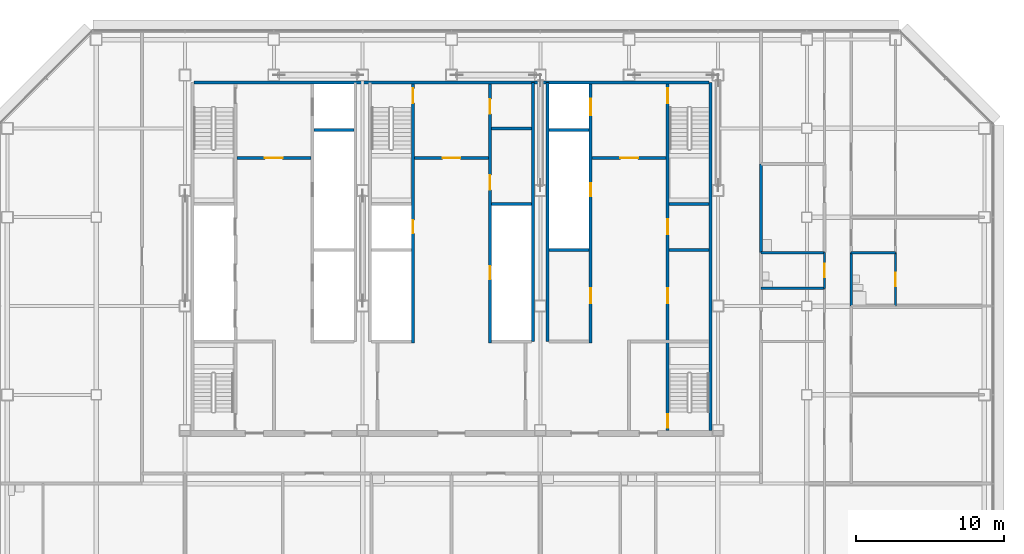
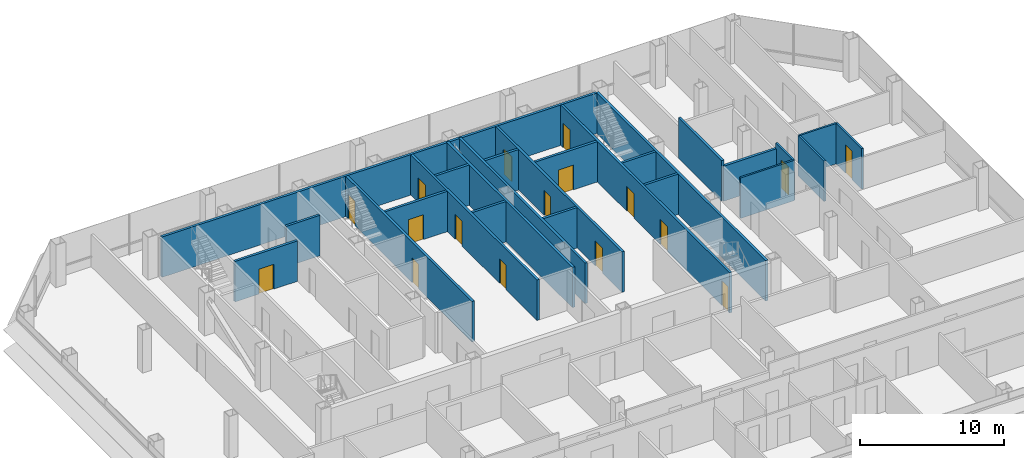
# One storey, part 22 of 25: 25 walls, 17 doors, 17 openings.
"""IFC4 building model written with IfcOpenShell, lengths in metres."""

from ifc_helpers import new_model, si_unit, direction, frame, frame_2d, origin, place, context, subcontext, project, spatial, rectangle, extrude, material, layer, layer_set, type_object, element, fill, save


model = new_model("IFC4")

# Units and contexts
model_context = context("Model", 3, precision=1e-05, world=origin(), true_north=direction((0.0, 1.0)))
body_context = subcontext(model_context, "Body", "Model", "MODEL_VIEW")
ifc_project = project(units=[si_unit("LENGTHUNIT", "METRE"), si_unit("AREAUNIT", "SQUARE_METRE"), si_unit("VOLUMEUNIT", "CUBIC_METRE"), si_unit("PLANEANGLEUNIT", "RADIAN"), si_unit("MASSUNIT", "GRAM", prefix="KILO")], contexts=[model_context])

# Site, building, storey
site_placement = place(None, origin())
site = spatial("IfcSite", under=ifc_project, at=site_placement, CompositionType="ELEMENT")
building_placement = place(site_placement, origin())
building = spatial("IfcBuilding", under=site, at=building_placement, Name="Sorahane Residences", CompositionType="ELEMENT")
storey_placement = place(building_placement, frame((0.0, 0.0, 126.800048828125)))
storey = spatial("IfcBuildingStorey", under=building, at=storey_placement, Name="L28", CompositionType="ELEMENT", Elevation=126.800048828125)

# Walls
ifc_material_1 = material(Name="Concrete C30", Category="concrete")
ifc_layer_1 = layer(ifc_material_1, 0.199951171875)
ifc_layer_set_1 = layer_set([ifc_layer_1], Name="Core face wall 200 EI 180")
wall_type_1 = type_object("IfcWallType", Name="Core face wall 200 EI 180", PredefinedType="SOLIDWALL", material=ifc_layer_set_1)
wall_1_placement = place(storey_placement, frame((41.5, 21.60009765625, 0.0), z_axis=(0.0, 0.0, 1.0), x_axis=(0.0, 1.0, 0.0)))
element("IfcWall", 1, at=wall_1_placement, inside=storey, type_object=wall_type_1, Name="L28 core face wall", PredefinedType="SOLIDWALL", context=body_context, shape_type="SweptSolid", body=[
    extrude(rectangle(XDim=23.5, YDim=0.199951171875, at=frame_2d((11.75, 0.0))), origin(), (0.0, 0.0, 1.0), 3.419921875),
])
wall_2_placement = place(storey_placement, frame((6.60009765625, 45.10009765625, 0.0), z_axis=(0.0, 0.0, 1.0), x_axis=(1.0, 0.0, 0.0)))
element("IfcWall", 2, at=wall_2_placement, inside=storey, type_object=wall_type_1, Name="L28 core face wall", PredefinedType="SOLIDWALL", context=body_context, shape_type="SweptSolid", body=[
    extrude(rectangle(XDim=34.7998046875, YDim=0.199951171875, at=frame_2d((17.39990234375, 0.0))), origin(), (0.0, 0.0, 1.0), 3.419921875),
])
for number, where, z_axis, x_axis, name in (
    (3, (29.5, 27.60009765625, 0.0), (0.0, 0.0, 1.0), (0.0, 1.0, 0.0), "L28 core face wall"),
    (4, (30.5, 27.60009765625, 0.0), (0.0, 0.0, 1.0), (0.0, 1.0, 0.0), "L28 core face wall"),
):
    element("IfcWall", number, at=place(storey_placement, frame(where, z_axis=z_axis, x_axis=x_axis)), inside=storey, type_object=wall_type_1, Name=name, PredefinedType="SOLIDWALL", context=body_context, shape_type="SweptSolid", body=[
        extrude(rectangle(XDim=17.5, YDim=0.199951171875, at=frame_2d((8.75, 0.0))), origin(), (0.0, 0.0, 1.0), 3.419921875),
    ])

# Wall, opening, door
ifc_material_2 = material(Name="Concrete C30", Category="concrete")
ifc_layer_2 = layer(ifc_material_2, 0.199951171875)
ifc_layer_set_2 = layer_set([ifc_layer_2], Name="Front room wall 200 EI 120")
wall_type_2 = type_object("IfcWallType", Name="Front room wall 200 EI 120", PredefinedType="PARTITIONING", material=ifc_layer_set_2)
wall_3_placement = place(storey_placement, frame((21.5, 40.0, 0.0), z_axis=(0.0, 0.0, 1.0), x_axis=(1.0, 0.0, 0.0)))
wall_3 = element("IfcWall", 5, at=wall_3_placement, inside=storey, type_object=wall_type_2, Name="L28 front room wall", PredefinedType="PARTITIONING", context=body_context, shape_type="SweptSolid", body=[
    extrude(rectangle(XDim=5.0, YDim=0.199951171875, at=frame_2d((2.5, 0.0))), origin(), (0.0, 0.0, 1.0), 3.419921875),
])
opening_1_placement = place(wall_3_placement, frame((1.89990234375, 0.0, 0.0)))
opening_1 = element("IfcOpeningElement", 6, at=opening_1_placement, cuts=wall_3, Name="Opening L28-C09", PredefinedType="OPENING", context=body_context, shape_type="SweptSolid", body=[
    extrude(rectangle(XDim=1.199951171875, YDim=2.10009765625, at=frame_2d((0.60009765625, 1.050048828125))), frame((0.0, 0.10986328125, 0.0), z_axis=(0.0, -1.0, 0.0), x_axis=(1.0, 0.0, 0.0)), (0.0, 0.0, 1.0), 0.219970703125),
])
ifc_material_3 = material(Name="Steel", Category="steel")
door_type_1 = type_object("IfcDoorType", Name="Front room door 1200x2100 FD120", OperationType="NOTDEFINED", PredefinedType="DOOR", material=ifc_material_3)
door_1_placement = place(opening_1_placement, frame((1.199951171875, 0.0, 0.0), z_axis=(0.0, 0.0, 1.0), x_axis=(-1.0, 0.0, 0.0)))
door_1 = element("IfcDoor", 7, at=door_1_placement, inside=storey, type_object=door_type_1, Name="Front room door Stair S3 vestibule L28", OperationType="DOUBLE_DOOR_SINGLE_SWING", OverallHeight=2.10009765625, OverallWidth=1.199951171875, PredefinedType="DOOR", context=body_context, shape_type="SweptSolid", body=[
    extrude(rectangle(XDim=1.199951171875, YDim=2.10009765625, at=frame_2d((0.60009765625, 1.050048828125))), frame((0.0, 0.02490234375, 0.0), z_axis=(0.0, -1.0, 0.0), x_axis=(1.0, 0.0, 0.0)), (0.0, 0.0, 1.0), 0.050048828125),
])
fill(opening_1, door_1)

wall_4_placement = place(storey_placement, frame((33.5, 40.0, 0.0), z_axis=(0.0, 0.0, 1.0), x_axis=(1.0, 0.0, 0.0)))
wall_4 = element("IfcWall", 8, at=wall_4_placement, inside=storey, type_object=wall_type_2, Name="L28 front room wall", PredefinedType="PARTITIONING", context=body_context, shape_type="SweptSolid", body=[
    extrude(rectangle(XDim=5.0, YDim=0.199951171875, at=frame_2d((2.5, 0.0))), origin(), (0.0, 0.0, 1.0), 3.419921875),
])
opening_2_placement = place(wall_4_placement, frame((1.89990234375, 0.0, 0.0)))
opening_2 = element("IfcOpeningElement", 9, at=opening_2_placement, cuts=wall_4, Name="Opening L28-C10", PredefinedType="OPENING", context=body_context, shape_type="SweptSolid", body=[
    extrude(rectangle(XDim=1.199951171875, YDim=2.10009765625, at=frame_2d((0.60009765625, 1.050048828125))), frame((0.0, 0.10986328125, 0.0), z_axis=(0.0, -1.0, 0.0), x_axis=(1.0, 0.0, 0.0)), (0.0, 0.0, 1.0), 0.219970703125),
])
door_2_placement = place(opening_2_placement, frame((1.199951171875, 0.0, 0.0), z_axis=(0.0, 0.0, 1.0), x_axis=(-1.0, 0.0, 0.0)))
door_2 = element("IfcDoor", 10, at=door_2_placement, inside=storey, type_object=door_type_1, Name="Front room door Firefighting lobby FF2 front room L28", OperationType="DOUBLE_DOOR_SINGLE_SWING", OverallHeight=2.10009765625, OverallWidth=1.199951171875, PredefinedType="DOOR", context=body_context, shape_type="SweptSolid", body=[
    extrude(rectangle(XDim=1.199951171875, YDim=2.10009765625, at=frame_2d((0.60009765625, 1.050048828125))), frame((0.0, 0.02490234375, 0.0), z_axis=(0.0, -1.0, 0.0), x_axis=(1.0, 0.0, 0.0)), (0.0, 0.0, 1.0), 0.050048828125),
])
fill(opening_2, door_2)

wall_5_placement = place(storey_placement, frame((9.5, 40.0, 0.0), z_axis=(0.0, 0.0, 1.0), x_axis=(1.0, 0.0, 0.0)))
wall_5 = element("IfcWall", 11, at=wall_5_placement, inside=storey, type_object=wall_type_2, Name="L28 front room wall", PredefinedType="PARTITIONING", context=body_context, shape_type="SweptSolid", body=[
    extrude(rectangle(XDim=5.0, YDim=0.199951171875, at=frame_2d((2.5, 0.0))), origin(), (0.0, 0.0, 1.0), 3.419921875),
])
opening_3_placement = place(wall_5_placement, frame((1.89990234375, 0.0, 0.0)))
opening_3 = element("IfcOpeningElement", 12, at=opening_3_placement, cuts=wall_5, Name="Opening L28-C08", PredefinedType="OPENING", context=body_context, shape_type="SweptSolid", body=[
    extrude(rectangle(XDim=1.199951171875, YDim=2.10009765625, at=frame_2d((0.60009765625, 1.050048828125))), frame((0.0, 0.10986328125, 0.0), z_axis=(0.0, -1.0, 0.0), x_axis=(1.0, 0.0, 0.0)), (0.0, 0.0, 1.0), 0.219970703125),
])
door_3_placement = place(opening_3_placement, frame((1.199951171875, 0.0, 0.0), z_axis=(0.0, 0.0, 1.0), x_axis=(-1.0, 0.0, 0.0)))
door_3 = element("IfcDoor", 13, at=door_3_placement, inside=storey, type_object=door_type_1, Name="Front room door Firefighting lobby FF1 front room L28", OperationType="DOUBLE_DOOR_SINGLE_SWING", OverallHeight=2.10009765625, OverallWidth=1.199951171875, PredefinedType="DOOR", context=body_context, shape_type="SweptSolid", body=[
    extrude(rectangle(XDim=1.199951171875, YDim=2.10009765625, at=frame_2d((0.60009765625, 1.050048828125))), frame((0.0, 0.02490234375, 0.0), z_axis=(0.0, -1.0, 0.0), x_axis=(1.0, 0.0, 0.0)), (0.0, 0.0, 1.0), 0.050048828125),
])
fill(opening_3, door_3)

# Walls
ifc_material_4 = material(Name="Concrete blockwork C20 wall", Category="masonry")
ifc_layer_3 = layer(ifc_material_4, 0.199951171875)
ifc_layer_set_3 = layer_set([ifc_layer_3], Name="Kitchen wall 200 EI 180")
wall_type_3 = type_object("IfcWallType", Name="Kitchen wall 200 EI 180", PredefinedType="SOLIDWALL", material=ifc_layer_set_3)
wall_6_placement = place(storey_placement, frame((44.89990234375, 33.60009765625, 0.0), z_axis=(0.0, 0.0, 1.0), x_axis=(0.0, 1.0, 0.0)))
element("IfcWall", 14, at=wall_6_placement, inside=storey, type_object=wall_type_3, Name="L28 kitchen wall", PredefinedType="SOLIDWALL", context=body_context, shape_type="SweptSolid", body=[
    extrude(rectangle(XDim=6.0, YDim=0.199951171875, at=frame_2d((3.0, 0.0))), origin(), (0.0, 0.0, 1.0), 3.419921875),
])
wall_7_placement = place(storey_placement, frame((44.89990234375, 33.60009765625, 0.0), z_axis=(0.0, 0.0, 1.0), x_axis=(1.0, 0.0, 0.0)))
element("IfcWall", 15, at=wall_7_placement, inside=storey, type_object=wall_type_3, Name="L28 kitchen wall", PredefinedType="SOLIDWALL", context=body_context, shape_type="SweptSolid", body=[
    extrude(rectangle(XDim=4.300048828125, YDim=0.199951171875, at=frame_2d((2.14990234375, 0.0))), origin(), (0.0, 0.0, 1.0), 2.969970703125),
])

# Wall, openings, doors
ifc_material_5 = material(Name="Concrete C30", Category="concrete")
ifc_layer_4 = layer(ifc_material_5, 0.199951171875)
ifc_layer_set_4 = layer_set([ifc_layer_4], Name="Lift shaft wall 200 EI 120")
wall_type_4 = type_object("IfcWallType", Name="Lift shaft wall 200 EI 120", PredefinedType="SOLIDWALL", material=ifc_layer_set_4)
wall_8_placement = place(storey_placement, frame((33.39990234375, 27.5, 0.0), z_axis=(0.0, 0.0, 1.0), x_axis=(0.0, 1.0, 0.0)))
wall_8 = element("IfcWall", 16, at=wall_8_placement, inside=storey, type_object=wall_type_4, Name="L28 lift shaft wall", PredefinedType="SOLIDWALL", context=body_context, shape_type="SweptSolid", body=[
    extrude(rectangle(XDim=17.5, YDim=0.199951171875, at=frame_2d((8.75, 0.0))), origin(), (0.0, 0.0, 1.0), 3.419921875),
])
opening_4_placement = place(wall_8_placement, frame((15.39990234375, 0.0, 0.0)))
opening_4 = element("IfcOpeningElement", 17, at=opening_4_placement, cuts=wall_8, Name="Opening L28-C11", PredefinedType="OPENING", context=body_context, shape_type="SweptSolid", body=[
    extrude(rectangle(XDim=1.10009765625, YDim=2.10009765625, at=frame_2d((0.550048828125, 1.050048828125))), frame((0.0, 0.10986328125, 0.0), z_axis=(0.0, -1.0, 0.0), x_axis=(1.0, 0.0, 0.0)), (0.0, 0.0, 1.0), 0.219970703125),
])
opening_5_placement = place(wall_8_placement, frame((2.699951171875, 0.0, 0.0)))
opening_5 = element("IfcOpeningElement", 18, at=opening_5_placement, cuts=wall_8, Name="Opening L28-C20", PredefinedType="OPENING", context=body_context, shape_type="SweptSolid", body=[
    extrude(rectangle(XDim=1.0, YDim=2.10009765625, at=frame_2d((0.5, 1.050048828125))), frame((0.0, 0.10986328125, 0.0), z_axis=(0.0, -1.0, 0.0), x_axis=(1.0, 0.0, 0.0)), (0.0, 0.0, 1.0), 0.219970703125),
])
opening_6_placement = place(wall_8_placement, frame((9.89990234375, 0.0, 0.0)))
opening_6 = element("IfcOpeningElement", 19, at=opening_6_placement, cuts=wall_8, Name="Opening L28-C27", PredefinedType="OPENING", context=body_context, shape_type="SweptSolid", body=[
    extrude(rectangle(XDim=0.89990234375, YDim=2.10009765625, at=frame_2d((0.449951171875, 1.050048828125))), frame((0.0, 0.10986328125, 0.0), z_axis=(0.0, -1.0, 0.0), x_axis=(1.0, 0.0, 0.0)), (0.0, 0.0, 1.0), 0.219970703125),
])
ifc_material_6 = material(Name="Aluminium and stainless steel", Category="steel")
door_type_2 = type_object("IfcDoorType", Name="Lift landing door 1100x2100 E 60", OperationType="NOTDEFINED", PredefinedType="DOOR", material=ifc_material_6)
door_4_placement = place(opening_4_placement, origin())
door_4 = element("IfcDoor", 20, at=door_4_placement, inside=storey, type_object=door_type_2, Name="Lift landing door FF2 L28", OperationType="DOUBLE_DOOR_SLIDING", OverallHeight=2.10009765625, OverallWidth=1.10009765625, PredefinedType="DOOR", context=body_context, shape_type="SweptSolid", body=[
    extrude(rectangle(XDim=1.10009765625, YDim=2.10009765625, at=frame_2d((0.550048828125, 1.050048828125))), frame((0.0, 0.02490234375, 0.0), z_axis=(0.0, -1.0, 0.0), x_axis=(1.0, 0.0, 0.0)), (0.0, 0.0, 1.0), 0.050048828125),
])
fill(opening_4, door_4)
ifc_material_7 = material(Name="Steel", Category="steel")
door_type_3 = type_object("IfcDoorType", Name="Riser door 900x2100 FD120", OperationType="NOTDEFINED", PredefinedType="DOOR", material=ifc_material_7)
door_5_placement = place(opening_6_placement, frame((0.89990234375, 0.0, 0.0), z_axis=(0.0, 0.0, 1.0), x_axis=(-1.0, 0.0, 0.0)))
door_5 = element("IfcDoor", 21, at=door_5_placement, inside=storey, type_object=door_type_3, Name="Riser door R2 L28", OperationType="SINGLE_SWING_LEFT", OverallHeight=2.10009765625, OverallWidth=0.89990234375, PredefinedType="DOOR", context=body_context, shape_type="SweptSolid", body=[
    extrude(rectangle(XDim=0.89990234375, YDim=2.10009765625, at=frame_2d((0.449951171875, 1.050048828125))), frame((0.0, 0.02490234375, 0.0), z_axis=(0.0, -1.0, 0.0), x_axis=(1.0, 0.0, 0.0)), (0.0, 0.0, 1.0), 0.050048828125),
])
fill(opening_6, door_5)
ifc_material_8 = material(Name="Steel", Category="steel")
door_type_4 = type_object("IfcDoorType", Name="Service room door 1000x2100 FD60", OperationType="NOTDEFINED", PredefinedType="DOOR", material=ifc_material_8)
door_6_placement = place(opening_5_placement, origin())
door_6 = element("IfcDoor", 22, at=door_6_placement, inside=storey, type_object=door_type_4, Name="Service room door Meeting room L28", OperationType="SINGLE_SWING_RIGHT", OverallHeight=2.10009765625, OverallWidth=1.0, PredefinedType="DOOR", context=body_context, shape_type="SweptSolid", body=[
    extrude(rectangle(XDim=1.0, YDim=2.10009765625, at=frame_2d((0.5, 1.050048828125))), frame((0.0, 0.02490234375, 0.0), z_axis=(0.0, -1.0, 0.0), x_axis=(1.0, 0.0, 0.0)), (0.0, 0.0, 1.0), 0.050048828125),
])
fill(opening_5, door_6)

# Walls
for number, where, z_axis, x_axis, name in (
    (23, (14.699951171875, 41.89990234375, 0.0), (0.0, 0.0, 1.0), (1.0, 0.0, 0.0), "L28 lift shaft wall"),
    (24, (30.60009765625, 41.89990234375, 0.0), (0.0, 0.0, 1.0), (1.0, 0.0, 0.0), "L28 lift shaft wall"),
):
    element("IfcWall", number, at=place(storey_placement, frame(where, z_axis=z_axis, x_axis=x_axis)), inside=storey, type_object=wall_type_4, Name=name, PredefinedType="SOLIDWALL", context=body_context, shape_type="SweptSolid", body=[
        extrude(rectangle(XDim=2.699951171875, YDim=0.199951171875, at=frame_2d((1.35009765625, 0.0))), origin(), (0.0, 0.0, 1.0), 3.419921875),
    ])

# Wall, openings, doors
ifc_material_9 = material(Name="Concrete C30", Category="concrete")
ifc_layer_5 = layer(ifc_material_9, 0.199951171875)
ifc_layer_set_5 = layer_set([ifc_layer_5], Name="Riser shaft wall 200 EI 120")
wall_type_5 = type_object("IfcWallType", Name="Riser shaft wall 200 EI 120", PredefinedType="SOLIDWALL", material=ifc_layer_set_5)
wall_9_placement = place(storey_placement, frame((26.60009765625, 27.5, 0.0), z_axis=(0.0, 0.0, 1.0), x_axis=(0.0, 1.0, 0.0)))
wall_9 = element("IfcWall", 25, at=wall_9_placement, inside=storey, type_object=wall_type_5, Name="L28 riser wall", PredefinedType="SOLIDWALL", context=body_context, shape_type="SweptSolid", body=[
    extrude(rectangle(XDim=17.5, YDim=0.199951171875, at=frame_2d((8.75, 0.0))), origin(), (0.0, 0.0, 1.0), 3.419921875),
])
opening_7_placement = place(wall_9_placement, frame((4.300048828125, 0.0, 0.0)))
opening_7 = element("IfcOpeningElement", 26, at=opening_7_placement, cuts=wall_9, Name="Opening L28-C29", PredefinedType="OPENING", context=body_context, shape_type="SweptSolid", body=[
    extrude(rectangle(XDim=0.89990234375, YDim=2.10009765625, at=frame_2d((0.449951171875, 1.050048828125))), frame((0.0, 0.10986328125, 0.0), z_axis=(0.0, -1.0, 0.0), x_axis=(1.0, 0.0, 0.0)), (0.0, 0.0, 1.0), 0.219970703125),
])
opening_8_placement = place(wall_9_placement, frame((10.35009765625, 0.0, 0.0)))
opening_8 = element("IfcOpeningElement", 27, at=opening_8_placement, cuts=wall_9, Name="Opening L28-C30", PredefinedType="OPENING", context=body_context, shape_type="SweptSolid", body=[
    extrude(rectangle(XDim=1.0, YDim=2.10009765625, at=frame_2d((0.5, 1.050048828125))), frame((0.0, 0.10986328125, 0.0), z_axis=(0.0, -1.0, 0.0), x_axis=(1.0, 0.0, 0.0)), (0.0, 0.0, 1.0), 0.219970703125),
])
opening_9_placement = place(wall_9_placement, frame((15.47509765625, 0.0, 0.0)))
opening_9 = element("IfcOpeningElement", 28, at=opening_9_placement, cuts=wall_9, Name="Opening L28-C31", PredefinedType="OPENING", context=body_context, shape_type="SweptSolid", body=[
    extrude(rectangle(XDim=1.0, YDim=2.10009765625, at=frame_2d((0.5, 1.050048828125))), frame((0.0, 0.10986328125, 0.0), z_axis=(0.0, -1.0, 0.0), x_axis=(1.0, 0.0, 0.0)), (0.0, 0.0, 1.0), 0.219970703125),
])
door_7_placement = place(opening_7_placement, origin())
door_7 = element("IfcDoor", 29, at=door_7_placement, inside=storey, type_object=door_type_3, Name="Riser door R4 L28", OperationType="SINGLE_SWING_LEFT", OverallHeight=2.10009765625, OverallWidth=0.89990234375, PredefinedType="DOOR", context=body_context, shape_type="SweptSolid", body=[
    extrude(rectangle(XDim=0.89990234375, YDim=2.10009765625, at=frame_2d((0.449951171875, 1.050048828125))), frame((0.0, 0.02490234375, 0.0), z_axis=(0.0, -1.0, 0.0), x_axis=(1.0, 0.0, 0.0)), (0.0, 0.0, 1.0), 0.050048828125),
])
fill(opening_7, door_7)
door_8_placement = place(opening_8_placement, frame((1.0, 0.0, 0.0), z_axis=(0.0, 0.0, 1.0), x_axis=(-1.0, 0.0, 0.0)))
door_8 = element("IfcDoor", 30, at=door_8_placement, inside=storey, type_object=door_type_4, Name="Service room door Parcel room L28", OperationType="SINGLE_SWING_LEFT", OverallHeight=2.10009765625, OverallWidth=1.0, PredefinedType="DOOR", context=body_context, shape_type="SweptSolid", body=[
    extrude(rectangle(XDim=1.0, YDim=2.10009765625, at=frame_2d((0.5, 1.050048828125))), frame((0.0, 0.02490234375, 0.0), z_axis=(0.0, -1.0, 0.0), x_axis=(1.0, 0.0, 0.0)), (0.0, 0.0, 1.0), 0.050048828125),
])
fill(opening_8, door_8)
door_9_placement = place(opening_9_placement, frame((1.0, 0.0, 0.0), z_axis=(0.0, 0.0, 1.0), x_axis=(-1.0, 0.0, 0.0)))
door_9 = element("IfcDoor", 31, at=door_9_placement, inside=storey, type_object=door_type_4, Name="Service room door Refuse room L28", OperationType="SINGLE_SWING_RIGHT", OverallHeight=2.10009765625, OverallWidth=1.0, PredefinedType="DOOR", context=body_context, shape_type="SweptSolid", body=[
    extrude(rectangle(XDim=1.0, YDim=2.10009765625, at=frame_2d((0.5, 1.050048828125))), frame((0.0, 0.02490234375, 0.0), z_axis=(0.0, -1.0, 0.0), x_axis=(1.0, 0.0, 0.0)), (0.0, 0.0, 1.0), 0.050048828125),
])
fill(opening_9, door_9)

# Walls
for number, where, z_axis, x_axis, name in (
    (32, (30.60009765625, 33.800048828125, 0.0), (0.0, 0.0, 1.0), (1.0, 0.0, 0.0), "L28 riser wall"),
    (33, (26.699951171875, 36.89990234375, 0.0), (0.0, 0.0, 1.0), (1.0, 0.0, 0.0), "L28 riser wall"),
):
    element("IfcWall", number, at=place(storey_placement, frame(where, z_axis=z_axis, x_axis=x_axis)), inside=storey, type_object=wall_type_5, Name=name, PredefinedType="SOLIDWALL", context=body_context, shape_type="SweptSolid", body=[
        extrude(rectangle(XDim=2.699951171875, YDim=0.199951171875, at=frame_2d((1.35009765625, 0.0))), origin(), (0.0, 0.0, 1.0), 3.419921875),
    ])
ifc_material_10 = material(Name="Concrete C30", Category="concrete")
ifc_layer_6 = layer(ifc_material_10, 0.199951171875)
ifc_layer_set_6 = layer_set([ifc_layer_6], Name="Service room partition 200 EI 60")
wall_type_6 = type_object("IfcWallType", Name="Service room partition 200 EI 60", PredefinedType="PARTITIONING", material=ifc_layer_set_6)
for number, where, z_axis, x_axis, name in (
    (34, (38.699951171875, 33.800048828125, 0.0), (0.0, 0.0, 1.0), (1.0, 0.0, 0.0), "L28 service room wall"),
    (35, (26.699951171875, 42.0, 0.0), (0.0, 0.0, 1.0), (1.0, 0.0, 0.0), "L28 service room wall"),
):
    element("IfcWall", number, at=place(storey_placement, frame(where, z_axis=z_axis, x_axis=x_axis)), inside=storey, type_object=wall_type_6, Name=name, PredefinedType="PARTITIONING", context=body_context, shape_type="SweptSolid", body=[
        extrude(rectangle(XDim=2.699951171875, YDim=0.199951171875, at=frame_2d((1.35009765625, 0.0))), origin(), (0.0, 0.0, 1.0), 3.419921875),
    ])

# Wall, openings, doors
ifc_material_11 = material(Name="Concrete C30", Category="concrete")
ifc_layer_7 = layer(ifc_material_11, 0.199951171875)
ifc_layer_set_7 = layer_set([ifc_layer_7], Name="Stair enclosure wall 200 EI 120")
wall_type_7 = type_object("IfcWallType", Name="Stair enclosure wall 200 EI 120", PredefinedType="SOLIDWALL", material=ifc_layer_set_7)
wall_10_placement = place(storey_placement, frame((21.39990234375, 27.5, 0.0), z_axis=(0.0, 0.0, 1.0), x_axis=(0.0, 1.0, 0.0)))
wall_10 = element("IfcWall", 36, at=wall_10_placement, inside=storey, type_object=wall_type_7, Name="L28 stair enclosure wall", PredefinedType="SOLIDWALL", context=body_context, shape_type="SweptSolid", body=[
    extrude(rectangle(XDim=17.5, YDim=0.199951171875, at=frame_2d((8.75, 0.0))), origin(), (0.0, 0.0, 1.0), 3.419921875),
])
opening_10_placement = place(wall_10_placement, frame((16.199951171875, 0.0, 0.0)))
opening_10 = element("IfcOpeningElement", 37, at=opening_10_placement, cuts=wall_10, Name="Opening L28-C23", PredefinedType="OPENING", context=body_context, shape_type="SweptSolid", body=[
    extrude(rectangle(XDim=1.0, YDim=2.10009765625, at=frame_2d((0.5, 1.050048828125))), frame((0.0, 0.10986328125, 0.0), z_axis=(0.0, -1.0, 0.0), x_axis=(1.0, 0.0, 0.0)), (0.0, 0.0, 1.0), 0.219970703125),
])
opening_11_placement = place(wall_10_placement, frame((7.39990234375, 0.0, 0.0)))
opening_11 = element("IfcOpeningElement", 38, at=opening_11_placement, cuts=wall_10, Name="Opening L28-C28", PredefinedType="OPENING", context=body_context, shape_type="SweptSolid", body=[
    extrude(rectangle(XDim=0.89990234375, YDim=2.10009765625, at=frame_2d((0.449951171875, 1.050048828125))), frame((0.0, 0.10986328125, 0.0), z_axis=(0.0, -1.0, 0.0), x_axis=(1.0, 0.0, 0.0)), (0.0, 0.0, 1.0), 0.219970703125),
])
door_10_placement = place(opening_11_placement, frame((0.89990234375, 0.0, 0.0), z_axis=(0.0, 0.0, 1.0), x_axis=(-1.0, 0.0, 0.0)))
door_10 = element("IfcDoor", 39, at=door_10_placement, inside=storey, type_object=door_type_3, Name="Riser door R3 L28", OperationType="SINGLE_SWING_LEFT", OverallHeight=2.10009765625, OverallWidth=0.89990234375, PredefinedType="DOOR", context=body_context, shape_type="SweptSolid", body=[
    extrude(rectangle(XDim=0.89990234375, YDim=2.10009765625, at=frame_2d((0.449951171875, 1.050048828125))), frame((0.0, 0.02490234375, 0.0), z_axis=(0.0, -1.0, 0.0), x_axis=(1.0, 0.0, 0.0)), (0.0, 0.0, 1.0), 0.050048828125),
])
fill(opening_11, door_10)
ifc_material_12 = material(Name="Steel", Category="steel")
door_type_5 = type_object("IfcDoorType", Name="Stair door 1000x2100 FD120", OperationType="NOTDEFINED", PredefinedType="DOOR", material=ifc_material_12)
door_11_placement = place(opening_10_placement, origin())
door_11 = element("IfcDoor", 40, at=door_11_placement, inside=storey, type_object=door_type_5, Name="Stair door S3 L28", OperationType="SINGLE_SWING_LEFT", OverallHeight=2.10009765625, OverallWidth=1.0, PredefinedType="DOOR", context=body_context, shape_type="SweptSolid", body=[
    extrude(rectangle(XDim=1.0, YDim=2.10009765625, at=frame_2d((0.5, 1.050048828125))), frame((0.0, 0.02490234375, 0.0), z_axis=(0.0, -1.0, 0.0), x_axis=(1.0, 0.0, 0.0)), (0.0, 0.0, 1.0), 0.050048828125),
])
fill(opening_10, door_11)

wall_11_placement = place(storey_placement, frame((38.60009765625, 21.60009765625, 0.0), z_axis=(0.0, 0.0, 1.0), x_axis=(0.0, 1.0, 0.0)))
wall_11 = element("IfcWall", 41, at=wall_11_placement, inside=storey, type_object=wall_type_7, Name="L28 stair enclosure wall", PredefinedType="SOLIDWALL", context=body_context, shape_type="SweptSolid", body=[
    extrude(rectangle(XDim=23.39990234375, YDim=0.199951171875, at=frame_2d((11.699951171875, 0.0))), origin(), (0.0, 0.0, 1.0), 3.419921875),
])
opening_12_placement = place(wall_11_placement, frame((8.60009765625, 0.0, 0.0)))
opening_12 = element("IfcOpeningElement", 42, at=opening_12_placement, cuts=wall_11, Name="Opening L28-C18", PredefinedType="OPENING", context=body_context, shape_type="SweptSolid", body=[
    extrude(rectangle(XDim=1.0, YDim=2.10009765625, at=frame_2d((0.5, 1.050048828125))), frame((0.0, 0.10986328125, 0.0), z_axis=(0.0, -1.0, 0.0), x_axis=(1.0, 0.0, 0.0)), (0.0, 0.0, 1.0), 0.219970703125),
])
opening_13_placement = place(wall_11_placement, frame((13.25, 0.0, 0.0)))
opening_13 = element("IfcOpeningElement", 43, at=opening_13_placement, cuts=wall_11, Name="Opening L28-C19", PredefinedType="OPENING", context=body_context, shape_type="SweptSolid", body=[
    extrude(rectangle(XDim=1.0, YDim=2.10009765625, at=frame_2d((0.5, 1.050048828125))), frame((0.0, 0.10986328125, 0.0), z_axis=(0.0, -1.0, 0.0), x_axis=(1.0, 0.0, 0.0)), (0.0, 0.0, 1.0), 0.219970703125),
])
opening_14_placement = place(wall_11_placement, frame((22.10009765625, 0.0, 0.0)))
opening_14 = element("IfcOpeningElement", 44, at=opening_14_placement, cuts=wall_11, Name="Opening L28-C22", PredefinedType="OPENING", context=body_context, shape_type="SweptSolid", body=[
    extrude(rectangle(XDim=1.0, YDim=2.10009765625, at=frame_2d((0.5, 1.050048828125))), frame((0.0, 0.10986328125, 0.0), z_axis=(0.0, -1.0, 0.0), x_axis=(1.0, 0.0, 0.0)), (0.0, 0.0, 1.0), 0.219970703125),
])
opening_15_placement = place(wall_11_placement, frame((0.175048828125, 0.0, 0.0)))
opening_15 = element("IfcOpeningElement", 45, at=opening_15_placement, cuts=wall_11, Name="Opening L28-C25", PredefinedType="OPENING", context=body_context, shape_type="SweptSolid", body=[
    extrude(rectangle(XDim=0.89990234375, YDim=2.10009765625, at=frame_2d((0.449951171875, 1.050048828125))), frame((0.0, 0.10986328125, 0.0), z_axis=(0.0, -1.0, 0.0), x_axis=(1.0, 0.0, 0.0)), (0.0, 0.0, 1.0), 0.219970703125),
])
door_12_placement = place(opening_12_placement, frame((1.0, 0.0, 0.0), z_axis=(0.0, 0.0, 1.0), x_axis=(-1.0, 0.0, 0.0)))
door_12 = element("IfcDoor", 46, at=door_12_placement, inside=storey, type_object=door_type_4, Name="Service room door Meeting room L28", OperationType="SINGLE_SWING_RIGHT", OverallHeight=2.10009765625, OverallWidth=1.0, PredefinedType="DOOR", context=body_context, shape_type="SweptSolid", body=[
    extrude(rectangle(XDim=1.0, YDim=2.10009765625, at=frame_2d((0.5, 1.050048828125))), frame((0.0, 0.02490234375, 0.0), z_axis=(0.0, -1.0, 0.0), x_axis=(1.0, 0.0, 0.0)), (0.0, 0.0, 1.0), 0.050048828125),
])
fill(opening_12, door_12)
door_13_placement = place(opening_13_placement, frame((1.0, 0.0, 0.0), z_axis=(0.0, 0.0, 1.0), x_axis=(-1.0, 0.0, 0.0)))
door_13 = element("IfcDoor", 47, at=door_13_placement, inside=storey, type_object=door_type_4, Name="Service room door Meeting room L28", OperationType="SINGLE_SWING_LEFT", OverallHeight=2.10009765625, OverallWidth=1.0, PredefinedType="DOOR", context=body_context, shape_type="SweptSolid", body=[
    extrude(rectangle(XDim=1.0, YDim=2.10009765625, at=frame_2d((0.5, 1.050048828125))), frame((0.0, 0.02490234375, 0.0), z_axis=(0.0, -1.0, 0.0), x_axis=(1.0, 0.0, 0.0)), (0.0, 0.0, 1.0), 0.050048828125),
])
fill(opening_13, door_13)
door_14_placement = place(opening_14_placement, frame((1.0, 0.0, 0.0), z_axis=(0.0, 0.0, 1.0), x_axis=(-1.0, 0.0, 0.0)))
door_14 = element("IfcDoor", 48, at=door_14_placement, inside=storey, type_object=door_type_5, Name="Stair door S2 L28", OperationType="SINGLE_SWING_LEFT", OverallHeight=2.10009765625, OverallWidth=1.0, PredefinedType="DOOR", context=body_context, shape_type="SweptSolid", body=[
    extrude(rectangle(XDim=1.0, YDim=2.10009765625, at=frame_2d((0.5, 1.050048828125))), frame((0.0, 0.02490234375, 0.0), z_axis=(0.0, -1.0, 0.0), x_axis=(1.0, 0.0, 0.0)), (0.0, 0.0, 1.0), 0.050048828125),
])
fill(opening_14, door_14)
ifc_material_13 = material(Name="Steel", Category="steel")
door_type_6 = type_object("IfcDoorType", Name="Stair door 900x2100 FD120", OperationType="NOTDEFINED", PredefinedType="DOOR", material=ifc_material_13)
door_15_placement = place(opening_15_placement, frame((0.89990234375, 0.0, 0.0), z_axis=(0.0, 0.0, 1.0), x_axis=(-1.0, 0.0, 0.0)))
door_15 = element("IfcDoor", 49, at=door_15_placement, inside=storey, type_object=door_type_6, Name="Stair door S5 L28", OperationType="SINGLE_SWING_LEFT", OverallHeight=2.10009765625, OverallWidth=0.89990234375, PredefinedType="DOOR", context=body_context, shape_type="SweptSolid", body=[
    extrude(rectangle(XDim=0.89990234375, YDim=2.10009765625, at=frame_2d((0.449951171875, 1.050048828125))), frame((0.0, 0.02490234375, 0.0), z_axis=(0.0, -1.0, 0.0), x_axis=(1.0, 0.0, 0.0)), (0.0, 0.0, 1.0), 0.050048828125),
])
fill(opening_15, door_15)

# Wall
wall_12_placement = place(storey_placement, frame((38.699951171875, 36.89990234375, 0.0), z_axis=(0.0, 0.0, 1.0), x_axis=(1.0, 0.0, 0.0)))
element("IfcWall", 50, at=wall_12_placement, inside=storey, type_object=wall_type_7, Name="L28 stair enclosure wall", PredefinedType="SOLIDWALL", context=body_context, shape_type="SweptSolid", body=[
    extrude(rectangle(XDim=2.699951171875, YDim=0.199951171875, at=frame_2d((1.35009765625, 0.0))), origin(), (0.0, 0.0, 1.0), 3.419921875),
])

# Wall, opening, door
ifc_material_14 = material(Name="Gypsum board partition on steel studs", Category="steel")
ifc_layer_8 = layer(ifc_material_14, 0.14990234375)
ifc_layer_set_8 = layer_set([ifc_layer_8], Name="Wet wall 150 EI 90")
wall_type_8 = type_object("IfcWallType", Name="Wet wall 150 EI 90", PredefinedType="PARTITIONING", material=ifc_layer_set_8)
wall_13_placement = place(storey_placement, frame((49.199951171875, 31.199951171875, 0.0), z_axis=(0.0, 0.0, 1.0), x_axis=(0.0, 1.0, 0.0)))
wall_13 = element("IfcWall", 51, at=wall_13_placement, inside=storey, type_object=wall_type_8, Name="L28 wet wall", PredefinedType="PARTITIONING", context=body_context, shape_type="SweptSolid", body=[
    extrude(rectangle(XDim=2.400146484375, YDim=0.14990234375, at=frame_2d((1.2001953125, 0.0))), origin(), (0.0, 0.0, 1.0), 3.419921875),
])
opening_16_placement = place(wall_13_placement, frame((0.75, 0.0, 0.0)))
opening_16 = element("IfcOpeningElement", 52, at=opening_16_placement, cuts=wall_13, Name="Opening L28-30", PredefinedType="OPENING", context=body_context, shape_type="SweptSolid", body=[
    extrude(rectangle(XDim=0.89990234375, YDim=2.39990234375, at=frame_2d((0.449951171875, 1.199951171875))), frame((0.0, 0.0849609375, 0.0), z_axis=(0.0, -1.0, 0.0), x_axis=(1.0, 0.0, 0.0)), (0.0, 0.0, 1.0), 0.169921875),
])
ifc_material_15 = material(Name="Timber veneered fire door", Category="wood")
door_type_7 = type_object("IfcDoorType", Name="Bathroom door 900x2400 FD30", OperationType="NOTDEFINED", PredefinedType="DOOR", material=ifc_material_15)
door_16_placement = place(opening_16_placement, frame((0.89990234375, 0.0, 0.0), z_axis=(0.0, 0.0, 1.0), x_axis=(-1.0, 0.0, 0.0)))
door_16 = element("IfcDoor", 53, at=door_16_placement, inside=storey, type_object=door_type_7, Name="Bathroom door L28-30", OperationType="SINGLE_SWING_LEFT", OverallHeight=2.39990234375, OverallWidth=0.89990234375, PredefinedType="DOOR", context=body_context, shape_type="SweptSolid", body=[
    extrude(rectangle(XDim=0.89990234375, YDim=2.39990234375, at=frame_2d((0.449951171875, 1.199951171875))), frame((0.0, 0.02490234375, 0.0), z_axis=(0.0, -1.0, 0.0), x_axis=(1.0, 0.0, 0.0)), (0.0, 0.0, 1.0), 0.050048828125),
])
fill(opening_16, door_16)

# Wall
wall_14_placement = place(storey_placement, frame((51.0, 30.0, 0.0), z_axis=(0.0, 0.0, 1.0), x_axis=(0.0, 1.0, 0.0)))
element("IfcWall", 54, at=wall_14_placement, inside=storey, type_object=wall_type_8, Name="L28 wet wall", PredefinedType="PARTITIONING", context=body_context, shape_type="SweptSolid", body=[
    extrude(rectangle(XDim=3.60009765625, YDim=0.14990234375, at=frame_2d((1.800048828125, 0.0))), origin(), (0.0, 0.0, 1.0), 3.419921875),
])

# Wall, opening, door
wall_15_placement = place(storey_placement, frame((54.0, 30.0, 0.0), z_axis=(0.0, 0.0, 1.0), x_axis=(0.0, 1.0, 0.0)))
wall_15 = element("IfcWall", 55, at=wall_15_placement, inside=storey, type_object=wall_type_8, Name="L28 wet wall", PredefinedType="PARTITIONING", context=body_context, shape_type="SweptSolid", body=[
    extrude(rectangle(XDim=3.60009765625, YDim=0.14990234375, at=frame_2d((1.800048828125, 0.0))), origin(), (0.0, 0.0, 1.0), 3.419921875),
])
opening_17_placement = place(wall_15_placement, frame((1.35009765625, 0.0, 0.0)))
opening_17 = element("IfcOpeningElement", 56, at=opening_17_placement, cuts=wall_15, Name="Opening L28-38", PredefinedType="OPENING", context=body_context, shape_type="SweptSolid", body=[
    extrude(rectangle(XDim=0.89990234375, YDim=2.39990234375, at=frame_2d((0.449951171875, 1.199951171875))), frame((0.0, 0.0849609375, 0.0), z_axis=(0.0, -1.0, 0.0), x_axis=(1.0, 0.0, 0.0)), (0.0, 0.0, 1.0), 0.169921875),
])
door_17_placement = place(opening_17_placement, frame((0.89990234375, 0.0, 0.0), z_axis=(0.0, 0.0, 1.0), x_axis=(-1.0, 0.0, 0.0)))
door_17 = element("IfcDoor", 57, at=door_17_placement, inside=storey, type_object=door_type_7, Name="Bathroom door L28-38", OperationType="SINGLE_SWING_LEFT", OverallHeight=2.39990234375, OverallWidth=0.89990234375, PredefinedType="DOOR", context=body_context, shape_type="SweptSolid", body=[
    extrude(rectangle(XDim=0.89990234375, YDim=2.39990234375, at=frame_2d((0.449951171875, 1.199951171875))), frame((0.0, 0.02490234375, 0.0), z_axis=(0.0, -1.0, 0.0), x_axis=(1.0, 0.0, 0.0)), (0.0, 0.0, 1.0), 0.050048828125),
])
fill(opening_17, door_17)

# Walls
wall_16_placement = place(storey_placement, frame((44.89990234375, 31.199951171875, 0.0), z_axis=(0.0, 0.0, 1.0), x_axis=(1.0, 0.0, 0.0)))
element("IfcWall", 58, at=wall_16_placement, inside=storey, type_object=wall_type_8, Name="L28 wet wall", PredefinedType="PARTITIONING", context=body_context, shape_type="SweptSolid", body=[
    extrude(rectangle(XDim=4.300048828125, YDim=0.14990234375, at=frame_2d((2.14990234375, 0.0))), origin(), (0.0, 0.0, 1.0), 3.419921875),
])
wall_17_placement = place(storey_placement, frame((51.0, 33.60009765625, 0.0), z_axis=(0.0, 0.0, 1.0), x_axis=(1.0, 0.0, 0.0)))
element("IfcWall", 59, at=wall_17_placement, inside=storey, type_object=wall_type_8, Name="L28 wet wall", PredefinedType="PARTITIONING", context=body_context, shape_type="SweptSolid", body=[
    extrude(rectangle(XDim=3.0, YDim=0.14990234375, at=frame_2d((1.5, 0.0))), origin(), (0.0, 0.0, 1.0), 3.419921875),
])

save(model, "model.ifc")
